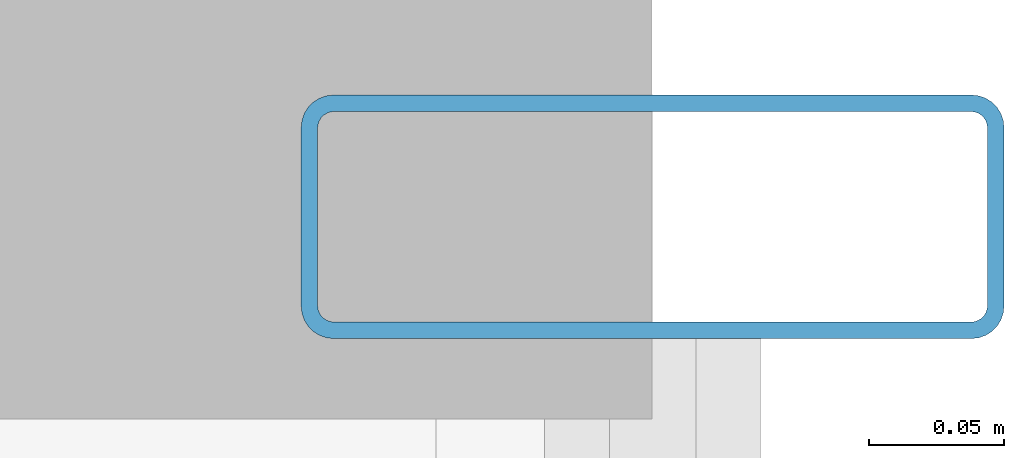
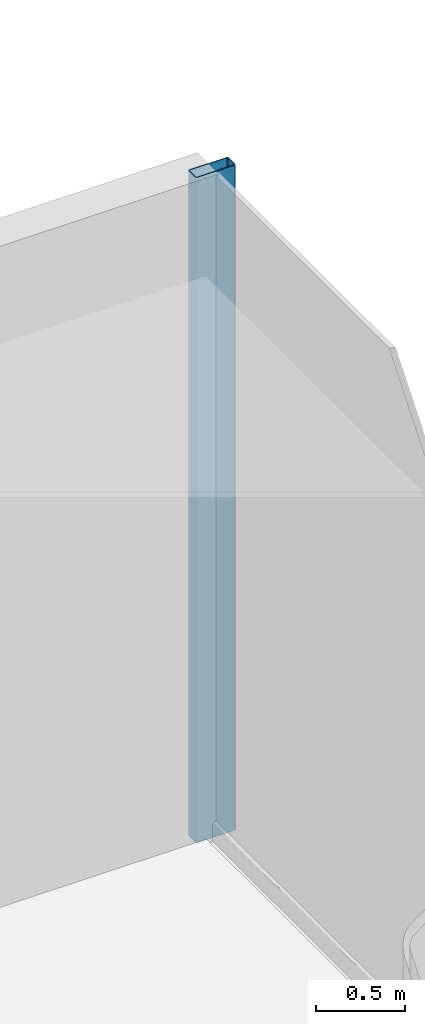
# One storey, part 18 of 27: 1 member, 1 element without a shape of its own.
"""IFC4 building model written with IfcOpenShell, lengths in metres."""

import ifcopenshell
import ifcopenshell.guid

model = None  # the IFC model being written
_history = None  # IfcOwnerHistory: only IFC2X3 demands one
_inside = {}  # id of a spatial element -> (the spatial element, [elements in it])
_under = {}  # id of a project, library or spatial element -> (it, [spatial elements below it])
_declared = {}  # id of a project -> (the project, [libraries it declares])
_typed = {}  # id of a type object -> (the type object, [elements of that type])
_made_of = {}  # id of a material, layer set ... -> (it, [elements and type objects made of it])


def new_model(schema):
    """Start an empty IFC model of exactly this schema.

    Asked for "IFC4X3", IfcOpenShell would pick the latest addendum, in which some entities
    have other attributes; the version numbers below select the first issue.
    IFC2X3 requires an IfcOwnerHistory on every rooted entity: one is made here for all.
    """
    global model, _history
    if schema == "IFC4X3":
        model = ifcopenshell.file(schema_version=(4, 3, 0, 0))
    else:
        model = ifcopenshell.file(schema=schema)
    _inside.clear()
    _under.clear()
    _declared.clear()
    _typed.clear()
    _made_of.clear()
    _history = None
    if model.schema == "IFC2X3":
        org = make("IfcOrganization", Name="unknown")
        user = make(
            "IfcPersonAndOrganization",
            ThePerson=make("IfcPerson", FamilyName="unknown"),
            TheOrganization=org,
        )
        app = make(
            "IfcApplication",
            ApplicationDeveloper=org,
            Version="unknown",
            ApplicationFullName="unknown",
            ApplicationIdentifier="unknown",
        )
        _history = make(
            "IfcOwnerHistory",
            OwningUser=user,
            OwningApplication=app,
            ChangeAction="ADDED",
            CreationDate=0,
        )
    return model


def make(cls, **values):
    """One entity of the class cls with the attributes given. An attribute that is None is left unset."""
    return model.create_entity(
        cls, **{name: value for name, value in values.items() if value is not None}
    )


def rooted(cls, **values):
    """An entity with a GlobalId (a new one), such as an element, a storey or a relation."""
    return make(cls, GlobalId=ifcopenshell.guid.new(), OwnerHistory=_history, **values)


def si_unit(unit_type, name, prefix=None):
    """IfcSIUnit, for example si_unit("LENGTHUNIT", "METRE", prefix="MILLI")."""
    return make("IfcSIUnit", UnitType=unit_type, Prefix=prefix, Name=name)


def assignment(units):
    """IfcUnitAssignment: the units of a project."""
    return None if units is None else make("IfcUnitAssignment", Units=units)


def point(xyz):
    """IfcCartesianPoint."""
    return None if xyz is None else make("IfcCartesianPoint", Coordinates=xyz)


def direction(xyz):
    """IfcDirection."""
    return None if xyz is None else make("IfcDirection", DirectionRatios=xyz)


def frame(location, z_axis=None, x_axis=None):
    """IfcAxis2Placement3D, a coordinate frame: its origin and axes. An axis left out is left unset."""
    return make(
        "IfcAxis2Placement3D",
        Location=point(location),
        Axis=direction(z_axis),
        RefDirection=direction(x_axis),
    )


def frame_2d(location, x_axis=None):
    """IfcAxis2Placement2D, a coordinate frame in the plane: its origin and x axis."""
    return make(
        "IfcAxis2Placement2D", Location=point(location), RefDirection=direction(x_axis)
    )


def origin():
    """The frame at (0, 0, 0) with its axes left unset."""
    return frame((0.0, 0.0, 0.0))


def origin_2d():
    """The frame at (0, 0) in the plane with its x axis left unset."""
    return frame_2d((0.0, 0.0))


def place(relative_to, where):
    """IfcLocalPlacement: puts the frame where relative to a parent placement (None: the world)."""
    return make(
        "IfcLocalPlacement", PlacementRelTo=relative_to, RelativePlacement=where
    )


def context(
    kind, dimensions, precision=None, world=None, true_north=None, identifier=None
):
    """IfcGeometricRepresentationContext, for example the 3D "Model" context."""
    return make(
        "IfcGeometricRepresentationContext",
        ContextIdentifier=identifier,
        ContextType=kind,
        CoordinateSpaceDimension=dimensions,
        Precision=precision,
        WorldCoordinateSystem=world,
        TrueNorth=true_north,
    )


def subcontext(parent, identifier, kind, view, scale=None):
    """IfcGeometricRepresentationSubContext, for example "Body" below "Model"."""
    return make(
        "IfcGeometricRepresentationSubContext",
        ContextIdentifier=identifier,
        ContextType=kind,
        ParentContext=parent,
        TargetScale=scale,
        TargetView=view,
    )


def project(units=None, contexts=None):
    """IfcProject with its units and contexts."""
    return rooted(
        "IfcProject",
        Name="project",
        RepresentationContexts=contexts,
        UnitsInContext=assignment(units),
    )


def spatial(cls, under=None, at=None, **own):
    """A site, building, storey or space (cls), placed at a placement, below another one or the project."""
    s = rooted(cls, ObjectPlacement=at, **own)
    if under is not None:
        _under.setdefault(under.id(), (under, []))[1].append(s)
    return s


def profile(cls, at=None, kind="AREA", **sizes):
    """A parametric profile (cls). Its sizes go by their IFC names, for example OverallWidth=200.0."""
    return make(cls, ProfileType=kind, Position=at, **sizes)


def hollow_rectangle(**sizes):
    """IfcRectangleHollowProfileDef."""
    return profile("IfcRectangleHollowProfileDef", **sizes)


def extrude(swept, where, along, depth):
    """IfcExtrudedAreaSolid: the profile swept, set in the frame where, extruded along a direction by depth."""
    return make(
        "IfcExtrudedAreaSolid",
        SweptArea=swept,
        Position=where,
        ExtrudedDirection=direction(along),
        Depth=depth,
    )


def shape(context_of_items, identifier, shape_type, items):
    """IfcShapeRepresentation: the items that make up one representation, for example the "Body"."""
    return make(
        "IfcShapeRepresentation",
        ContextOfItems=context_of_items,
        RepresentationIdentifier=identifier,
        RepresentationType=shape_type,
        Items=items,
    )


def source(mapping_origin, context_of_items, identifier, shape_type, items):
    """IfcRepresentationMap: a shape defined once, which mapped items show again and again."""
    return make(
        "IfcRepresentationMap",
        MappingOrigin=mapping_origin,
        MappedRepresentation=shape(context_of_items, identifier, shape_type, items),
    )


def transform(
    local_origin,
    x_axis=None,
    y_axis=None,
    z_axis=None,
    scale=None,
    scale2=None,
    scale3=None,
    uniform=True,
):
    """IfcCartesianTransformationOperator3D, or its non-uniform kind. x_axis, y_axis, z_axis: its Axis1, 2, 3."""
    if uniform:
        return make(
            "IfcCartesianTransformationOperator3D",
            Axis1=direction(x_axis),
            Axis2=direction(y_axis),
            LocalOrigin=point(local_origin),
            Scale=scale,
            Axis3=direction(z_axis),
        )
    return make(
        "IfcCartesianTransformationOperator3DnonUniform",
        Axis1=direction(x_axis),
        Axis2=direction(y_axis),
        LocalOrigin=point(local_origin),
        Scale=scale,
        Axis3=direction(z_axis),
        Scale2=scale2,
        Scale3=scale3,
    )


def mapped(mapping_source, mapping_target):
    """IfcMappedItem: shows the shape of a source again, moved by a transform."""
    return make(
        "IfcMappedItem", MappingSource=mapping_source, MappingTarget=mapping_target
    )


def material(Name=None, Category=None):
    """IfcMaterial."""
    return make("IfcMaterial", Name=Name, Category=Category)


def layer(
    of_material, thickness, ventilated=None, Name=None, Category=None, Priority=None
):
    """IfcMaterialLayer: one layer of a wall or slab, of a material (None: an air gap)."""
    return make(
        "IfcMaterialLayer",
        Material=of_material,
        LayerThickness=thickness,
        IsVentilated=ventilated,
        Name=Name,
        Category=Category,
        Priority=Priority,
    )


def layer_set(layers, Name=None):
    """IfcMaterialLayerSet."""
    return make("IfcMaterialLayerSet", MaterialLayers=layers, LayerSetName=Name)


def material_profile(
    of_material, cross_section, Name=None, Category=None, Priority=None
):
    """IfcMaterialProfile: a cross section and its material."""
    return make(
        "IfcMaterialProfile",
        Name=Name,
        Material=of_material,
        Profile=cross_section,
        Priority=Priority,
        Category=Category,
    )


def profile_set(profiles, Name=None, composite=None):
    """IfcMaterialProfileSet."""
    return make(
        "IfcMaterialProfileSet",
        Name=Name,
        MaterialProfiles=profiles,
        CompositeProfile=composite,
    )


def made_of(thing, what):
    """Note that an element or type object is made of a material, layer set ...; save() writes the relation."""
    if what is not None:
        _made_of.setdefault(what.id(), (what, []))[1].append(thing)
    return thing


def type_object(cls, material=None, **own):
    """A type object (cls), such as IfcWallType, which elements share."""
    return made_of(rooted(cls, **own), material)


def element(
    cls,
    number,
    at=None,
    inside=None,
    cuts=None,
    type_object=None,
    material=None,
    context=None,
    identifier="Body",
    shape_type=None,
    held_by="IfcProductDefinitionShape",
    body=None,
    shapes=None,
    **own,
):
    """One element of the class cls, such as IfcWall. Its Tag is "e" and its number.

    at: its placement. inside: the storey or other place that contains it. cuts: it is an
    opening in that element (IfcRelVoidsElement). A single representation is given by context,
    identifier, shape_type and body (its items); several are given by shapes. held_by: the class
    of the entity that holds the representations. save() writes the other relations.
    """
    e = rooted(cls, Tag="e%d" % number, ObjectPlacement=at, **own)
    if body is not None:
        shapes = [shape(context, identifier, shape_type, body)]
    if shapes is not None:
        e.Representation = make(held_by, Representations=shapes)
    if inside is not None:
        _inside.setdefault(inside.id(), (inside, []))[1].append(e)
    if cuts is not None:
        rooted(
            "IfcRelVoidsElement", RelatingBuildingElement=cuts, RelatedOpeningElement=e
        )
    if type_object is not None:
        _typed.setdefault(type_object.id(), (type_object, []))[1].append(e)
    return made_of(e, material)


def aggregate(whole, parts):
    """IfcRelAggregates: a whole, such as a stair, and the parts it consists of."""
    return rooted("IfcRelAggregates", RelatingObject=whole, RelatedObjects=parts)


def save(model, path):
    """Write the relations noted so far, then the file.

    IfcRelAggregates (storeys below a building ...), IfcRelContainedInSpatialStructure (elements
    in a storey), IfcRelDefinesByType, IfcRelAssociatesMaterial and IfcRelDeclares: one each for
    every whole, place, type object, material and project.
    """
    for whole, parts in _under.values():
        aggregate(whole, parts)
    for where, things in _inside.values():
        rooted(
            "IfcRelContainedInSpatialStructure",
            RelatedElements=things,
            RelatingStructure=where,
        )
    for kind, things in _typed.values():
        rooted("IfcRelDefinesByType", RelatedObjects=things, RelatingType=kind)
    for what, things in _made_of.values():
        rooted("IfcRelAssociatesMaterial", RelatedObjects=things, RelatingMaterial=what)
    for by, libraries in _declared.values():
        rooted("IfcRelDeclares", RelatingContext=by, RelatedDefinitions=libraries)
    model.write(path)


model = new_model("IFC4")

# Units and contexts
model_context = context("Model", 3, precision=1e-05, world=origin(), true_north=direction((0.0, 1.0)))
body_context = subcontext(model_context, "Body", "Model", "MODEL_VIEW")
ifc_project = project(units=[si_unit("LENGTHUNIT", "METRE"), si_unit("AREAUNIT", "SQUARE_METRE"), si_unit("VOLUMEUNIT", "CUBIC_METRE"), si_unit("PLANEANGLEUNIT", "RADIAN"), si_unit("MASSUNIT", "GRAM", prefix="KILO")], contexts=[model_context])

# Site, building, storey
site_placement = place(None, origin())
site = spatial("IfcSite", under=ifc_project, at=site_placement, CompositionType="ELEMENT")
building_placement = place(site_placement, origin())
building = spatial("IfcBuilding", under=site, at=building_placement, Name="Nefas-Gora Pilgrimage Tower", CompositionType="ELEMENT")
storey_placement = place(building_placement, frame((0.0, 0.0, 144.0)))
storey = spatial("IfcBuildingStorey", under=building, at=storey_placement, Name="L35", CompositionType="ELEMENT", Elevation=144.0)

# Curtain wall, member
ifc_material_1 = material(Name="Dark ceramic-fritted solar-control aluminium-glass curtain wall", Category="aluminium")
ifc_layer = layer(ifc_material_1, 0.219970703125)
ifc_layer_set = layer_set([ifc_layer], Name="Dark ceramic-fritted solar-control aluminium-glass curtain wall")
curtain_wall_type = type_object("IfcCurtainWallType", Name="CW-SYS-2", PredefinedType="NOTDEFINED", material=ifc_layer_set)
curtain_wall_placement = place(storey_placement, origin())
curtain_wall = element("IfcCurtainWall", 1, at=curtain_wall_placement, inside=storey, type_object=curtain_wall_type, Name="L35 Unitised Curtain Wall CW2", PredefinedType="NOTDEFINED")
ifc_material_2 = material(Name="Anodised architectural aluminium", Category="aluminium")
ifc_material_profile = material_profile(ifc_material_2, hollow_rectangle(XDim=0.090087890625, YDim=0.260009765625, WallThickness=0.006103515625, InnerFilletRadius=0.006103515625, OuterFilletRadius=0.011962890625, at=origin_2d()), Name="ALU MULLION 90x260")
ifc_profile_set = profile_set([ifc_material_profile], Name="Anodised architectural aluminium")
member_type = type_object("IfcMemberType", Name="CWM-MUL-2", PredefinedType="MULLION", material=ifc_profile_set)
shared_shape = source(origin(), body_context, "Body", "SweptSolid", [
    extrude(hollow_rectangle(XDim=0.090087890625, YDim=0.260009765625, WallThickness=0.006103515625, InnerFilletRadius=0.006103515625, OuterFilletRadius=0.011962890625, at=origin_2d()), origin(), (0.0, 0.0, 1.0), 4.550048828125),
])
member_placement = place(storey_placement, frame((34.27001953125, 17.574951171875, 0.0), z_axis=(0.0, 0.0, 1.0), x_axis=(0.0, 1.0, 0.0)))
member = element("IfcMember", 2, at=member_placement, type_object=member_type, Name="CW2 Mullion 2", PredefinedType="MULLION", context=body_context, shape_type="MappedRepresentation", body=[
    mapped(shared_shape, transform((0.0, 0.0, 0.0), x_axis=(1.0, 0.0, 0.0), y_axis=(0.0, 1.0, 0.0), z_axis=(0.0, 0.0, 1.0), scale=1.0)),
])
aggregate(curtain_wall, [member])

save(model, "model.ifc")
